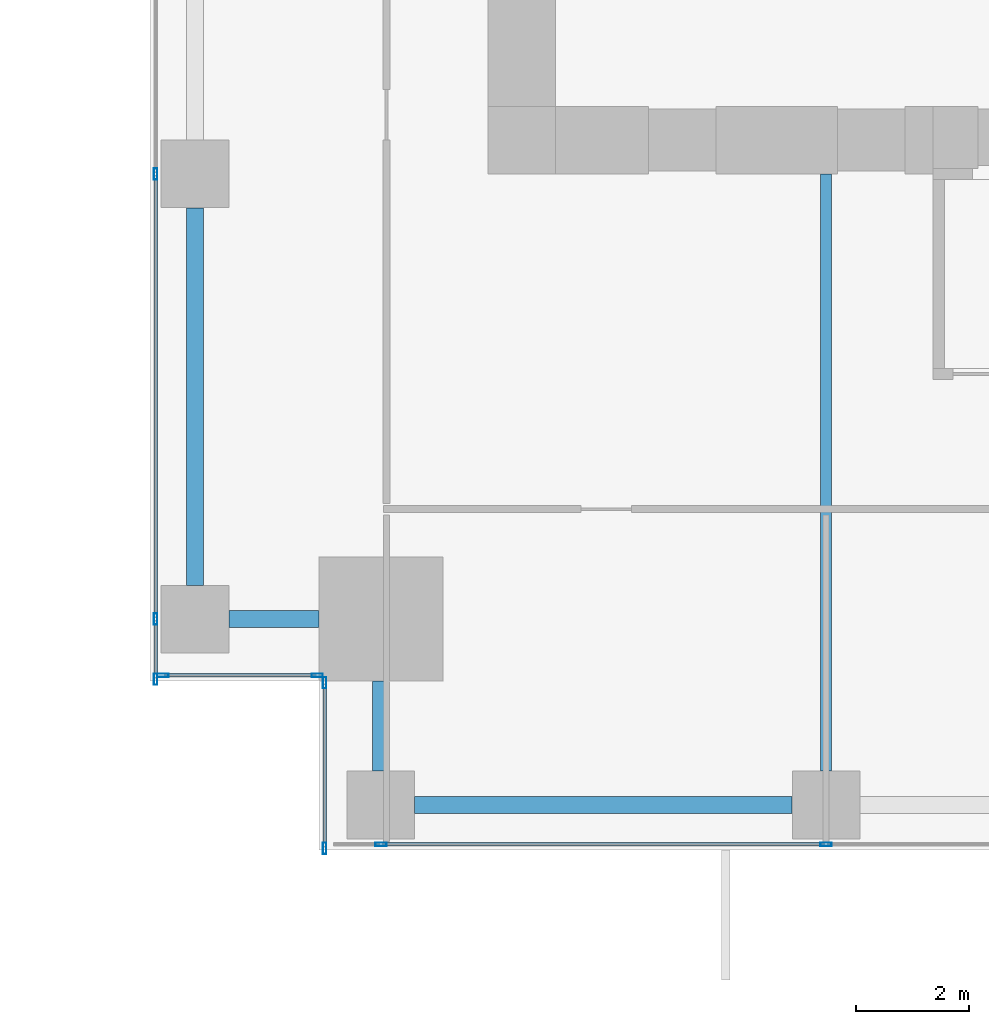
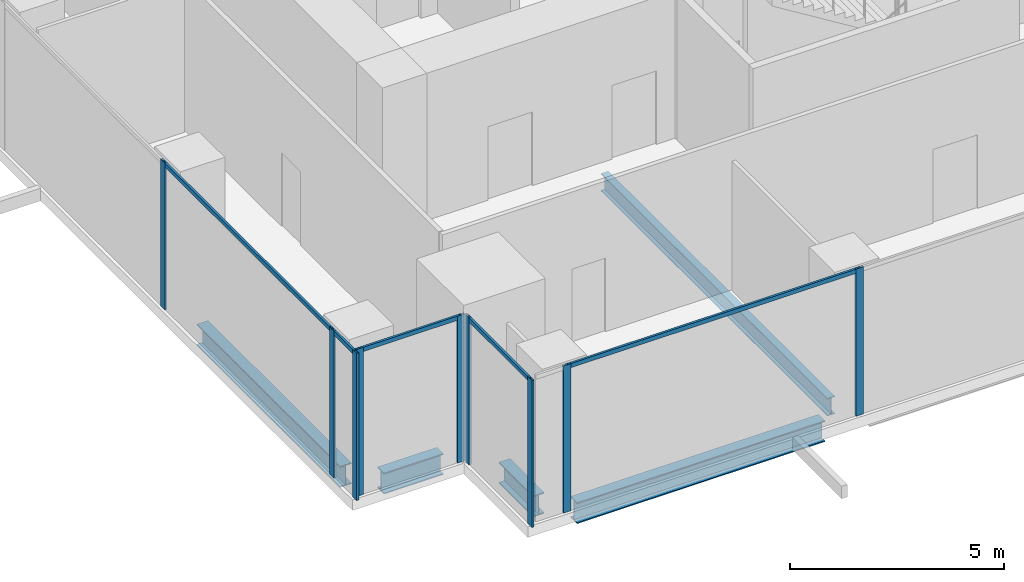
# One storey, part 2 of 32: 14 members, 5 beams, 4 elements without a shape of their own.
"""IFC4 building model written with IfcOpenShell, lengths in metres."""

from ifc_helpers import new_model, si_unit, direction, frame, origin, origin_2d, place, context, subcontext, project, spatial, hollow_rectangle, i_section, extrude, source, transform, mapped, material, material_profile, profile_set, type_object, element, aggregate, save


model = new_model("IFC4")

# Units and contexts
model_context = context("Model", 3, precision=1e-05, world=origin(), true_north=direction((0.0, 1.0)))
body_context = subcontext(model_context, "Body", "Model", "MODEL_VIEW")
ifc_project = project(units=[si_unit("LENGTHUNIT", "METRE"), si_unit("AREAUNIT", "SQUARE_METRE"), si_unit("VOLUMEUNIT", "CUBIC_METRE"), si_unit("PLANEANGLEUNIT", "RADIAN"), si_unit("MASSUNIT", "GRAM", prefix="KILO")], contexts=[model_context])

# Site, building, storey
site_placement = place(None, origin())
site = spatial("IfcSite", under=ifc_project, at=site_placement, CompositionType="ELEMENT")
building_placement = place(site_placement, origin())
building = spatial("IfcBuilding", under=site, at=building_placement, Name="Khomas Fold Tower", CompositionType="ELEMENT")
storey_placement = place(building_placement, frame((0.0, 0.0, 64.5)))
storey = spatial("IfcBuildingStorey", under=building, at=storey_placement, Name="L13", CompositionType="ELEMENT", Elevation=64.5)

# Beams
ifc_material_1 = material(Name="Steel S355", Category="steel")
ifc_material_profile_1 = material_profile(ifc_material_1, i_section(OverallWidth=0.199951171875, OverallDepth=0.5, WebThickness=0.01025390625, FlangeThickness=0.01611328125, at=origin_2d()), Name="IPE 500")
ifc_profile_set_1 = profile_set([ifc_material_profile_1], Name="Steel S355")
beam_type_1 = type_object("IfcBeamType", Name="IPE 500 beam JB5", PredefinedType="BEAM", material=ifc_profile_set_1)
shared_shape_1 = source(origin(), body_context, "Body", "SweptSolid", [
    extrude(i_section(OverallWidth=0.199951171875, OverallDepth=0.5, WebThickness=0.01025390625, FlangeThickness=0.01611328125, at=origin_2d()), origin(), (0.0, 0.0, 1.0), 10.60009765625),
])
beam_placement = place(storey_placement, frame((12.0, 1.39990234375, -0.550048828125), z_axis=(0.0, 1.0, 0.0), x_axis=(-1.0, 0.0, 0.0)))
element("IfcBeam", 1, at=beam_placement, inside=storey, type_object=beam_type_1, Name="JB5", PredefinedType="BEAM", context=body_context, shape_type="MappedRepresentation", body=[
    mapped(shared_shape_1, transform((0.0, 0.0, 0.0))),
])
ifc_material_2 = material(Name="Steel S355", Category="steel")
ifc_material_profile_2 = material_profile(ifc_material_2, i_section(OverallWidth=0.300048828125, OverallDepth=0.60009765625, WebThickness=0.015380859375, FlangeThickness=0.030029296875, at=origin_2d()), Name="HE 600 B")
ifc_profile_set_2 = profile_set([ifc_material_profile_2], Name="Steel S355")
beam_type_2 = type_object("IfcBeamType", Name="HE 600 B spandrel SB1", PredefinedType="SPANDREL", material=ifc_profile_set_2)
shared_shape_2 = source(origin(), body_context, "Body", "SweptSolid", [
    extrude(i_section(OverallWidth=0.300048828125, OverallDepth=0.60009765625, WebThickness=0.015380859375, FlangeThickness=0.030029296875, at=origin_2d()), origin(), (0.0, 0.0, 1.0), 6.699951171875),
])
for number, where, z_axis, x_axis, name in (
    (2, (4.699951171875, 0.800048828125, -0.60009765625), (1.0, 0.0, 0.0), (0.0, 1.0, 0.0), "SB1"),
    (3, (0.800048828125, 4.699951171875, -0.60009765625), (0.0, 1.0, 0.0), (-1.0, 0.0, 0.0), "SB1"),
):
    element("IfcBeam", number, at=place(storey_placement, frame(where, z_axis=z_axis, x_axis=x_axis)), inside=storey, type_object=beam_type_2, Name=name, PredefinedType="SPANDREL", context=body_context, shape_type="MappedRepresentation", body=[
        mapped(shared_shape_2, transform((0.0, 0.0, 0.0))),
    ])
shared_shape_3 = source(origin(), body_context, "Body", "SweptSolid", [
    extrude(i_section(OverallWidth=0.300048828125, OverallDepth=0.60009765625, WebThickness=0.015380859375, FlangeThickness=0.030029296875, at=origin_2d()), origin(), (0.0, 0.0, 1.0), 1.60009765625),
])
for number, where, z_axis, x_axis, name in (
    (4, (1.39990234375, 4.10009765625, -0.60009765625), (1.0, 0.0, 0.0), (0.0, 1.0, 0.0), "SB1"),
    (5, (4.10009765625, 1.39990234375, -0.60009765625), (0.0, 1.0, 0.0), (-1.0, 0.0, 0.0), "SB1"),
):
    element("IfcBeam", number, at=place(storey_placement, frame(where, z_axis=z_axis, x_axis=x_axis)), inside=storey, type_object=beam_type_2, Name=name, PredefinedType="SPANDREL", context=body_context, shape_type="MappedRepresentation", body=[
        mapped(shared_shape_3, transform((0.0, 0.0, 0.0))),
    ])

# Curtain wall, member
ifc_material_3 = material(Name="Aluminium framed double glazing", Category="aluminium")
curtain_wall_type = type_object("IfcCurtainWallType", Name="SK-Unitised clear-glass wall, growing floors CW1", PredefinedType="NOTDEFINED", material=ifc_material_3)
curtain_wall_1_placement = place(storey_placement, origin())
curtain_wall_1 = element("IfcCurtainWall", 6, at=curtain_wall_1_placement, inside=storey, type_object=curtain_wall_type, Name="CW1 run L13 00-0", PredefinedType="NOTDEFINED")
ifc_material_4 = material(Name="Aluminium", Category="aluminium")
ifc_material_profile_3 = material_profile(ifc_material_4, hollow_rectangle(XDim=0.06005859375, YDim=0.1201171875, WallThickness=0.00390625, at=origin_2d()), Name="SK-Unitised clear-glass wall, growing floors transom CW1-T")
ifc_profile_set_3 = profile_set([ifc_material_profile_3], Name="Aluminium")
member_type_1 = type_object("IfcMemberType", Name="SK-Unitised clear-glass wall, growing floors transom CW1-T", PredefinedType="USERDEFINED", material=ifc_profile_set_3)
shared_shape_4 = source(origin(), body_context, "Body", "SweptSolid", [
    extrude(hollow_rectangle(XDim=0.06005859375, YDim=0.1201171875, WallThickness=0.00390625, at=origin_2d()), origin(), (0.0, 0.0, 1.0), 7.840087890625),
])
member_1_placement = place(storey_placement, frame((4.1298828125, 0.10009765625, 4.139892578125), z_axis=(1.0, 0.0, 0.0), x_axis=(0.0, 1.0, 0.0)))
member_1 = element("IfcMember", 7, at=member_1_placement, type_object=member_type_1, Name="CW1 transom 2", ObjectType="TRANSOM", PredefinedType="USERDEFINED", context=body_context, shape_type="MappedRepresentation", body=[
    mapped(shared_shape_4, transform((0.0, 0.0, 0.0))),
])

# Curtain wall, members
curtain_wall_2_placement = place(storey_placement, origin())
curtain_wall_2 = element("IfcCurtainWall", 8, at=curtain_wall_2_placement, inside=storey, type_object=curtain_wall_type, Name="CW1 run L13 09-1", PredefinedType="NOTDEFINED")
member_2_placement = place(storey_placement, frame((0.10009765625, 11.969970703125, 4.139892578125), z_axis=(0.0, -1.0, 0.0), x_axis=(1.0, 0.0, 0.0)))
member_2 = element("IfcMember", 9, at=member_2_placement, type_object=member_type_1, Name="CW1 transom 4", ObjectType="TRANSOM", PredefinedType="USERDEFINED", context=body_context, shape_type="MappedRepresentation", body=[
    mapped(shared_shape_4, transform((0.0, 0.0, 0.0))),
])
shared_shape_5 = source(origin(), body_context, "Body", "SweptSolid", [
    extrude(hollow_rectangle(XDim=0.06005859375, YDim=0.1201171875, WallThickness=0.00390625, at=origin_2d()), origin(), (0.0, 0.0, 1.0), 1.010009765625),
])
member_3_placement = place(storey_placement, frame((0.10009765625, 4.070068359375, 4.139892578125), z_axis=(0.0, -1.0, 0.0), x_axis=(1.0, 0.0, 0.0)))
member_3 = element("IfcMember", 10, at=member_3_placement, type_object=member_type_1, Name="CW1 transom 5", ObjectType="TRANSOM", PredefinedType="USERDEFINED", context=body_context, shape_type="MappedRepresentation", body=[
    mapped(shared_shape_5, transform((0.0, 0.0, 0.0))),
])

# Curtain wall, member
curtain_wall_3_placement = place(storey_placement, origin())
curtain_wall_3 = element("IfcCurtainWall", 11, at=curtain_wall_3_placement, inside=storey, type_object=curtain_wall_type, Name="CW1 corner return L13 10", PredefinedType="NOTDEFINED")
shared_shape_6 = source(origin(), body_context, "Body", "SweptSolid", [
    extrude(hollow_rectangle(XDim=0.06005859375, YDim=0.1201171875, WallThickness=0.00390625, at=origin_2d()), origin(), (0.0, 0.0, 1.0), 2.679931640625),
])
member_4_placement = place(storey_placement, frame((0.260009765625, 3.10009765625, 4.139892578125), z_axis=(1.0, 0.0, 0.0), x_axis=(0.0, 1.0, 0.0)))
member_4 = element("IfcMember", 12, at=member_4_placement, type_object=member_type_1, Name="CW1 transom 1", ObjectType="TRANSOM", PredefinedType="USERDEFINED", context=body_context, shape_type="MappedRepresentation", body=[
    mapped(shared_shape_6, transform((0.0, 0.0, 0.0))),
])

curtain_wall_4_placement = place(storey_placement, origin())
curtain_wall_4 = element("IfcCurtainWall", 13, at=curtain_wall_4_placement, inside=storey, type_object=curtain_wall_type, Name="CW1 corner return L13 11", PredefinedType="NOTDEFINED")
shared_shape_7 = source(origin(), body_context, "Body", "SweptSolid", [
    extrude(hollow_rectangle(XDim=0.06005859375, YDim=0.1201171875, WallThickness=0.00390625, at=origin_2d()), origin(), (0.0, 0.0, 1.0), 2.8798828125),
])
member_5_placement = place(storey_placement, frame((3.10009765625, 2.93994140625, 4.139892578125), z_axis=(0.0, -1.0, 0.0), x_axis=(1.0, 0.0, 0.0)))
member_5 = element("IfcMember", 14, at=member_5_placement, type_object=member_type_1, Name="CW1 transom 1", ObjectType="TRANSOM", PredefinedType="USERDEFINED", context=body_context, shape_type="MappedRepresentation", body=[
    mapped(shared_shape_7, transform((0.0, 0.0, 0.0))),
])

# Member
ifc_material_5 = material(Name="Aluminium", Category="aluminium")
ifc_material_profile_4 = material_profile(ifc_material_5, hollow_rectangle(XDim=0.06005859375, YDim=0.199951171875, WallThickness=0.00390625, at=origin_2d()), Name="SK-Unitised clear-glass wall, growing floors mullion CW1-M")
ifc_profile_set_4 = profile_set([ifc_material_profile_4], Name="Aluminium")
member_type_2 = type_object("IfcMemberType", Name="SK-Unitised clear-glass wall, growing floors mullion CW1-M", PredefinedType="MULLION", material=ifc_profile_set_4)
shared_shape_8 = source(origin(), body_context, "Body", "SweptSolid", [
    extrude(hollow_rectangle(XDim=0.06005859375, YDim=0.199951171875, WallThickness=0.00390625, at=origin_2d()), origin(), (0.0, 0.0, 1.0), 4.199951171875),
])
member_6_placement = place(storey_placement, frame((4.10009765625, 0.10009765625, 0.0), z_axis=(0.0, 0.0, 1.0), x_axis=(0.0, 1.0, 0.0)))
member_6 = element("IfcMember", 15, at=member_6_placement, type_object=member_type_2, Name="CW1 mullion 2", PredefinedType="MULLION", context=body_context, shape_type="MappedRepresentation", body=[
    mapped(shared_shape_8, transform((0.0, 0.0, 0.0))),
])

member_7_placement = place(storey_placement, frame((12.0, 0.10009765625, 0.0), z_axis=(0.0, 0.0, 1.0), x_axis=(0.0, 1.0, 0.0)))
member_7 = element("IfcMember", 16, at=member_7_placement, type_object=member_type_2, Name="CW1 mullion 3", PredefinedType="MULLION", context=body_context, shape_type="MappedRepresentation", body=[
    mapped(shared_shape_8, transform((0.0, 0.0, 0.0))),
])

aggregate(curtain_wall_1, [member_6, member_7, member_1])

member_8_placement = place(storey_placement, frame((0.10009765625, 12.0, 0.0), z_axis=(0.0, 0.0, 1.0), x_axis=(1.0, 0.0, 0.0)))
member_8 = element("IfcMember", 17, at=member_8_placement, type_object=member_type_2, Name="CW1 mullion 4", PredefinedType="MULLION", context=body_context, shape_type="MappedRepresentation", body=[
    mapped(shared_shape_8, transform((0.0, 0.0, 0.0))),
])

member_9_placement = place(storey_placement, frame((0.10009765625, 4.10009765625, 0.0), z_axis=(0.0, 0.0, 1.0), x_axis=(1.0, 0.0, 0.0)))
member_9 = element("IfcMember", 18, at=member_9_placement, type_object=member_type_2, Name="CW1 mullion 5", PredefinedType="MULLION", context=body_context, shape_type="MappedRepresentation", body=[
    mapped(shared_shape_8, transform((0.0, 0.0, 0.0))),
])

member_10_placement = place(storey_placement, frame((0.10009765625, 3.030029296875, 0.0), z_axis=(0.0, 0.0, 1.0), x_axis=(1.0, 0.0, 0.0)))
member_10 = element("IfcMember", 19, at=member_10_placement, type_object=member_type_2, Name="CW1 mullion 6", PredefinedType="MULLION", context=body_context, shape_type="MappedRepresentation", body=[
    mapped(shared_shape_8, transform((0.0, 0.0, 0.0))),
])

aggregate(curtain_wall_2, [member_8, member_9, member_10, member_2, member_3])

member_11_placement = place(storey_placement, frame((0.22998046875, 3.10009765625, 0.0), z_axis=(0.0, 0.0, 1.0), x_axis=(0.0, 1.0, 0.0)))
member_11 = element("IfcMember", 20, at=member_11_placement, type_object=member_type_2, Name="CW1 mullion 1", PredefinedType="MULLION", context=body_context, shape_type="MappedRepresentation", body=[
    mapped(shared_shape_8, transform((0.0, 0.0, 0.0))),
])

member_12_placement = place(storey_placement, frame((2.969970703125, 3.10009765625, 0.0), z_axis=(0.0, 0.0, 1.0), x_axis=(0.0, 1.0, 0.0)))
member_12 = element("IfcMember", 21, at=member_12_placement, type_object=member_type_2, Name="CW1 mullion 2", PredefinedType="MULLION", context=body_context, shape_type="MappedRepresentation", body=[
    mapped(shared_shape_8, transform((0.0, 0.0, 0.0))),
])

aggregate(curtain_wall_3, [member_11, member_12, member_4])

member_13_placement = place(storey_placement, frame((3.10009765625, 2.969970703125, 0.0), z_axis=(0.0, 0.0, 1.0), x_axis=(1.0, 0.0, 0.0)))
member_13 = element("IfcMember", 22, at=member_13_placement, type_object=member_type_2, Name="CW1 mullion 1", PredefinedType="MULLION", context=body_context, shape_type="MappedRepresentation", body=[
    mapped(shared_shape_8, transform((0.0, 0.0, 0.0))),
])

member_14_placement = place(storey_placement, frame((3.10009765625, 0.030029296875, 0.0), z_axis=(0.0, 0.0, 1.0), x_axis=(1.0, 0.0, 0.0)))
member_14 = element("IfcMember", 23, at=member_14_placement, type_object=member_type_2, Name="CW1 mullion 2", PredefinedType="MULLION", context=body_context, shape_type="MappedRepresentation", body=[
    mapped(shared_shape_8, transform((0.0, 0.0, 0.0))),
])

aggregate(curtain_wall_4, [member_13, member_14, member_5])

save(model, "model.ifc")
